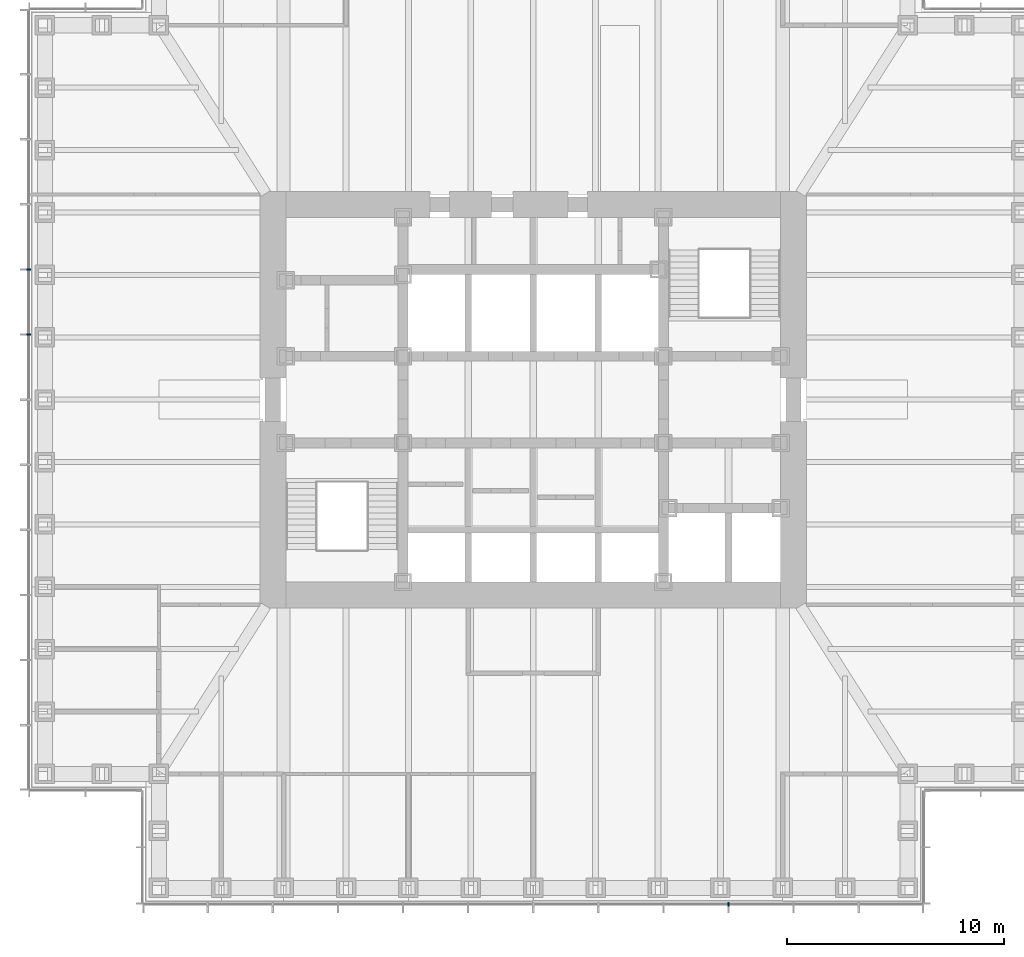
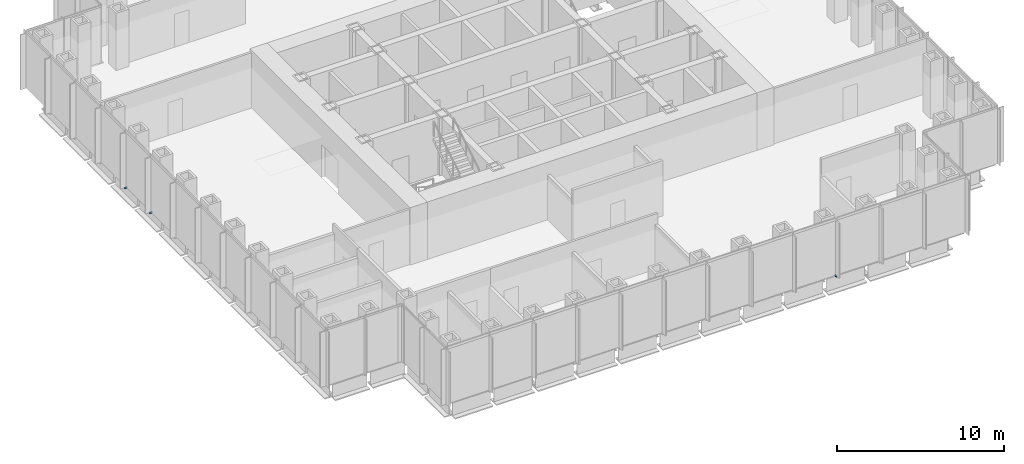
# One storey, part 12 of 16: 3 discrete accessories.
"""IFC4 building model written with IfcOpenShell, lengths in metres."""

from ifc_helpers import new_model, si_unit, direction, frame, origin, origin_2d, place, context, subcontext, project, spatial, rectangle, extrude, element, save


model = new_model("IFC4")

# Units and contexts
model_context = context("Model", 3, precision=1e-05, world=origin(), true_north=direction((0.0, 1.0)))
body_context = subcontext(model_context, "Body", "Model", "MODEL_VIEW")
ifc_project = project(units=[si_unit("LENGTHUNIT", "METRE"), si_unit("AREAUNIT", "SQUARE_METRE"), si_unit("VOLUMEUNIT", "CUBIC_METRE"), si_unit("PLANEANGLEUNIT", "RADIAN"), si_unit("MASSUNIT", "GRAM", prefix="KILO")], contexts=[model_context])

# Site, building, storey
site_placement = place(None, origin())
site = spatial("IfcSite", under=ifc_project, at=site_placement, CompositionType="ELEMENT")
building_placement = place(site_placement, origin())
building = spatial("IfcBuilding", under=site, at=building_placement, Name="Daluyong Arena Tower", CompositionType="ELEMENT")
storey_placement = place(building_placement, frame((0.0, 0.0, 120.699951171875)))
storey = spatial("IfcBuildingStorey", under=building, at=storey_placement, Name="L26", CompositionType="ELEMENT", Elevation=120.699951171875)

# Discrete accessories
for number, where, z_axis, x_axis, name in (
    (1, (65.0, 56.75, -0.10009765625), (0.0, 0.0, 1.0), (1.0, 0.0, 0.0), "curtain wall L26 S anchor bracket 10"),
    (2, (32.75, 86.0, -0.10009765625), (0.0, 0.0, 1.0), (0.0, -1.0, 0.0), "curtain wall L26 W anchor bracket 5"),
    (3, (32.75, 83.0, -0.10009765625), (0.0, 0.0, 1.0), (0.0, -1.0, 0.0), "curtain wall L26 W anchor bracket 6"),
):
    element("IfcDiscreteAccessory", number, at=place(storey_placement, frame(where, z_axis=z_axis, x_axis=x_axis)), inside=storey, Name=name, PredefinedType="BRACKET", context=body_context, shape_type="SweptSolid", body=[
        extrude(rectangle(XDim=0.080078125, YDim=0.199951171875, at=origin_2d()), origin(), (0.0, 0.0, 1.0), 0.10009765625),
    ])

save(model, "model.ifc")
